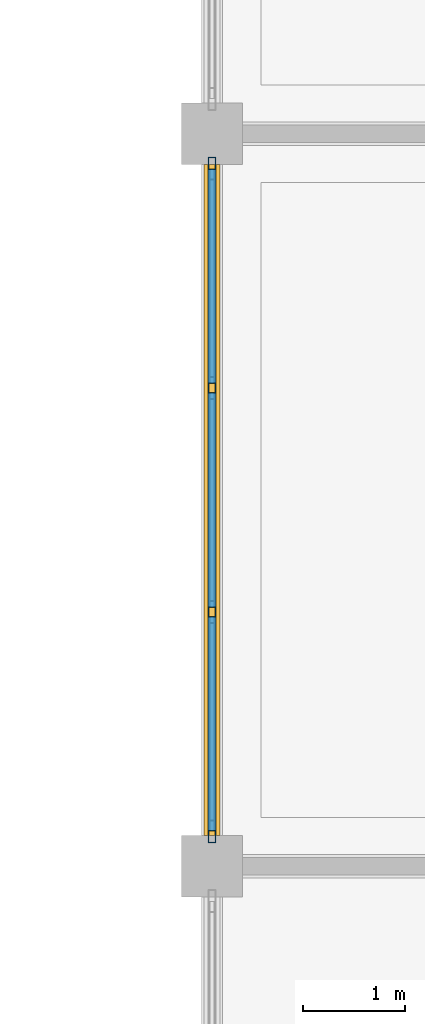
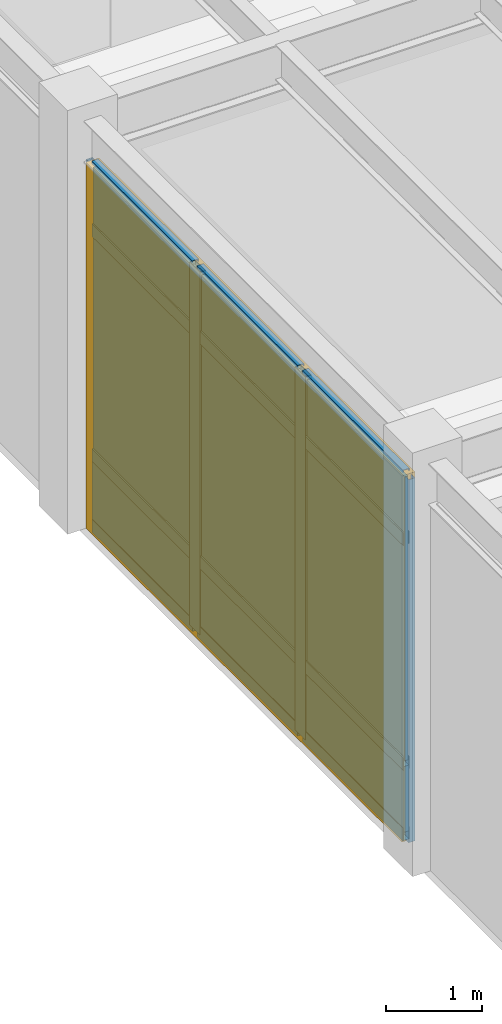
# One storey, part 49 of 97: 16 members, 6 plates, 1 curtain wall.
"""IFC4 building model written with IfcOpenShell, lengths in metres."""

import ifcopenshell
import ifcopenshell.guid

model = None  # the IFC model being written
_history = None  # IfcOwnerHistory: only IFC2X3 demands one
_inside = {}  # id of a spatial element -> (the spatial element, [elements in it])
_under = {}  # id of a project, library or spatial element -> (it, [spatial elements below it])
_declared = {}  # id of a project -> (the project, [libraries it declares])
_typed = {}  # id of a type object -> (the type object, [elements of that type])
_made_of = {}  # id of a material, layer set ... -> (it, [elements and type objects made of it])


def new_model(schema):
    """Start an empty IFC model of exactly this schema.

    Asked for "IFC4X3", IfcOpenShell would pick the latest addendum, in which some entities
    have other attributes; the version numbers below select the first issue.
    IFC2X3 requires an IfcOwnerHistory on every rooted entity: one is made here for all.
    """
    global model, _history
    if schema == "IFC4X3":
        model = ifcopenshell.file(schema_version=(4, 3, 0, 0))
    else:
        model = ifcopenshell.file(schema=schema)
    _inside.clear()
    _under.clear()
    _declared.clear()
    _typed.clear()
    _made_of.clear()
    _history = None
    if model.schema == "IFC2X3":
        org = make("IfcOrganization", Name="unknown")
        user = make(
            "IfcPersonAndOrganization",
            ThePerson=make("IfcPerson", FamilyName="unknown"),
            TheOrganization=org,
        )
        app = make(
            "IfcApplication",
            ApplicationDeveloper=org,
            Version="unknown",
            ApplicationFullName="unknown",
            ApplicationIdentifier="unknown",
        )
        _history = make(
            "IfcOwnerHistory",
            OwningUser=user,
            OwningApplication=app,
            ChangeAction="ADDED",
            CreationDate=0,
        )
    return model


def make(cls, **values):
    """One entity of the class cls with the attributes given. An attribute that is None is left unset."""
    return model.create_entity(
        cls, **{name: value for name, value in values.items() if value is not None}
    )


def rooted(cls, **values):
    """An entity with a GlobalId (a new one), such as an element, a storey or a relation."""
    return make(cls, GlobalId=ifcopenshell.guid.new(), OwnerHistory=_history, **values)


def si_unit(unit_type, name, prefix=None):
    """IfcSIUnit, for example si_unit("LENGTHUNIT", "METRE", prefix="MILLI")."""
    return make("IfcSIUnit", UnitType=unit_type, Prefix=prefix, Name=name)


def assignment(units):
    """IfcUnitAssignment: the units of a project."""
    return None if units is None else make("IfcUnitAssignment", Units=units)


def point(xyz):
    """IfcCartesianPoint."""
    return None if xyz is None else make("IfcCartesianPoint", Coordinates=xyz)


def direction(xyz):
    """IfcDirection."""
    return None if xyz is None else make("IfcDirection", DirectionRatios=xyz)


def frame(location, z_axis=None, x_axis=None):
    """IfcAxis2Placement3D, a coordinate frame: its origin and axes. An axis left out is left unset."""
    return make(
        "IfcAxis2Placement3D",
        Location=point(location),
        Axis=direction(z_axis),
        RefDirection=direction(x_axis),
    )


def frame_2d(location, x_axis=None):
    """IfcAxis2Placement2D, a coordinate frame in the plane: its origin and x axis."""
    return make(
        "IfcAxis2Placement2D", Location=point(location), RefDirection=direction(x_axis)
    )


def origin():
    """The frame at (0, 0, 0) with its axes left unset."""
    return frame((0.0, 0.0, 0.0))


def origin_2d():
    """The frame at (0, 0) in the plane with its x axis left unset."""
    return frame_2d((0.0, 0.0))


def place(relative_to, where):
    """IfcLocalPlacement: puts the frame where relative to a parent placement (None: the world)."""
    return make(
        "IfcLocalPlacement", PlacementRelTo=relative_to, RelativePlacement=where
    )


def context(
    kind, dimensions, precision=None, world=None, true_north=None, identifier=None
):
    """IfcGeometricRepresentationContext, for example the 3D "Model" context."""
    return make(
        "IfcGeometricRepresentationContext",
        ContextIdentifier=identifier,
        ContextType=kind,
        CoordinateSpaceDimension=dimensions,
        Precision=precision,
        WorldCoordinateSystem=world,
        TrueNorth=true_north,
    )


def subcontext(parent, identifier, kind, view, scale=None):
    """IfcGeometricRepresentationSubContext, for example "Body" below "Model"."""
    return make(
        "IfcGeometricRepresentationSubContext",
        ContextIdentifier=identifier,
        ContextType=kind,
        ParentContext=parent,
        TargetScale=scale,
        TargetView=view,
    )


def project(units=None, contexts=None):
    """IfcProject with its units and contexts."""
    return rooted(
        "IfcProject",
        Name="project",
        RepresentationContexts=contexts,
        UnitsInContext=assignment(units),
    )


def spatial(cls, under=None, at=None, **own):
    """A site, building, storey or space (cls), placed at a placement, below another one or the project."""
    s = rooted(cls, ObjectPlacement=at, **own)
    if under is not None:
        _under.setdefault(under.id(), (under, []))[1].append(s)
    return s


def profile(cls, at=None, kind="AREA", **sizes):
    """A parametric profile (cls). Its sizes go by their IFC names, for example OverallWidth=200.0."""
    return make(cls, ProfileType=kind, Position=at, **sizes)


def rectangle(**sizes):
    """IfcRectangleProfileDef."""
    return profile("IfcRectangleProfileDef", **sizes)


def hollow_rectangle(**sizes):
    """IfcRectangleHollowProfileDef."""
    return profile("IfcRectangleHollowProfileDef", **sizes)


def extrude(swept, where, along, depth):
    """IfcExtrudedAreaSolid: the profile swept, set in the frame where, extruded along a direction by depth."""
    return make(
        "IfcExtrudedAreaSolid",
        SweptArea=swept,
        Position=where,
        ExtrudedDirection=direction(along),
        Depth=depth,
    )


def shape(context_of_items, identifier, shape_type, items):
    """IfcShapeRepresentation: the items that make up one representation, for example the "Body"."""
    return make(
        "IfcShapeRepresentation",
        ContextOfItems=context_of_items,
        RepresentationIdentifier=identifier,
        RepresentationType=shape_type,
        Items=items,
    )


def material(Name=None, Category=None):
    """IfcMaterial."""
    return make("IfcMaterial", Name=Name, Category=Category)


def layer(
    of_material, thickness, ventilated=None, Name=None, Category=None, Priority=None
):
    """IfcMaterialLayer: one layer of a wall or slab, of a material (None: an air gap)."""
    return make(
        "IfcMaterialLayer",
        Material=of_material,
        LayerThickness=thickness,
        IsVentilated=ventilated,
        Name=Name,
        Category=Category,
        Priority=Priority,
    )


def layer_set(layers, Name=None):
    """IfcMaterialLayerSet."""
    return make("IfcMaterialLayerSet", MaterialLayers=layers, LayerSetName=Name)


def material_profile(
    of_material, cross_section, Name=None, Category=None, Priority=None
):
    """IfcMaterialProfile: a cross section and its material."""
    return make(
        "IfcMaterialProfile",
        Name=Name,
        Material=of_material,
        Profile=cross_section,
        Priority=Priority,
        Category=Category,
    )


def profile_set(profiles, Name=None, composite=None):
    """IfcMaterialProfileSet."""
    return make(
        "IfcMaterialProfileSet",
        Name=Name,
        MaterialProfiles=profiles,
        CompositeProfile=composite,
    )


def made_of(thing, what):
    """Note that an element or type object is made of a material, layer set ...; save() writes the relation."""
    if what is not None:
        _made_of.setdefault(what.id(), (what, []))[1].append(thing)
    return thing


def type_object(cls, material=None, **own):
    """A type object (cls), such as IfcWallType, which elements share."""
    return made_of(rooted(cls, **own), material)


def element(
    cls,
    number,
    at=None,
    inside=None,
    cuts=None,
    type_object=None,
    material=None,
    context=None,
    identifier="Body",
    shape_type=None,
    held_by="IfcProductDefinitionShape",
    body=None,
    shapes=None,
    **own,
):
    """One element of the class cls, such as IfcWall. Its Tag is "e" and its number.

    at: its placement. inside: the storey or other place that contains it. cuts: it is an
    opening in that element (IfcRelVoidsElement). A single representation is given by context,
    identifier, shape_type and body (its items); several are given by shapes. held_by: the class
    of the entity that holds the representations. save() writes the other relations.
    """
    e = rooted(cls, Tag="e%d" % number, ObjectPlacement=at, **own)
    if body is not None:
        shapes = [shape(context, identifier, shape_type, body)]
    if shapes is not None:
        e.Representation = make(held_by, Representations=shapes)
    if inside is not None:
        _inside.setdefault(inside.id(), (inside, []))[1].append(e)
    if cuts is not None:
        rooted(
            "IfcRelVoidsElement", RelatingBuildingElement=cuts, RelatedOpeningElement=e
        )
    if type_object is not None:
        _typed.setdefault(type_object.id(), (type_object, []))[1].append(e)
    return made_of(e, material)


def aggregate(whole, parts):
    """IfcRelAggregates: a whole, such as a stair, and the parts it consists of."""
    return rooted("IfcRelAggregates", RelatingObject=whole, RelatedObjects=parts)


def save(model, path):
    """Write the relations noted so far, then the file.

    IfcRelAggregates (storeys below a building ...), IfcRelContainedInSpatialStructure (elements
    in a storey), IfcRelDefinesByType, IfcRelAssociatesMaterial and IfcRelDeclares: one each for
    every whole, place, type object, material and project.
    """
    for whole, parts in _under.values():
        aggregate(whole, parts)
    for where, things in _inside.values():
        rooted(
            "IfcRelContainedInSpatialStructure",
            RelatedElements=things,
            RelatingStructure=where,
        )
    for kind, things in _typed.values():
        rooted("IfcRelDefinesByType", RelatedObjects=things, RelatingType=kind)
    for what, things in _made_of.values():
        rooted("IfcRelAssociatesMaterial", RelatedObjects=things, RelatingMaterial=what)
    for by, libraries in _declared.values():
        rooted("IfcRelDeclares", RelatingContext=by, RelatedDefinitions=libraries)
    model.write(path)


model = new_model("IFC4")

# Units and contexts
model_context = context("Model", 3, precision=1e-05, world=origin(), true_north=direction((0.0, 1.0)))
body_context = subcontext(model_context, "Body", "Model", "MODEL_VIEW")
ifc_project = project(units=[si_unit("LENGTHUNIT", "METRE"), si_unit("AREAUNIT", "SQUARE_METRE"), si_unit("VOLUMEUNIT", "CUBIC_METRE"), si_unit("PLANEANGLEUNIT", "RADIAN"), si_unit("MASSUNIT", "GRAM", prefix="KILO")], contexts=[model_context])

# Member
ifc_material_1 = material(Name="Anodized Aluminium 6063-T6", Category="aluminium")
ifc_material_profile_1 = material_profile(ifc_material_1, hollow_rectangle(XDim=0.074951171875, YDim=0.219970703125, WallThickness=0.0048828125, at=origin_2d()), Name="ALU 75x220x5")
ifc_profile_set_1 = profile_set([ifc_material_profile_1], Name="Anodized Aluminium 6063-T6")
member_type_1 = type_object("IfcMemberType", Name="CWM-75X180", PredefinedType="MULLION", material=ifc_profile_set_1)
site_placement = place(None, origin())
building_placement = place(site_placement, origin())
storey_placement = place(building_placement, origin())
member_1_placement = place(storey_placement, frame((64.800048828125, 21.93994140625, 0.02001953125), z_axis=(0.0, 0.0, 1.0), x_axis=(1.0, 0.0, 0.0)))
member_1 = element("IfcMember", 1, at=member_1_placement, type_object=member_type_1, Name="Curtain wall mullion CW-L01-09-03-W-00", PredefinedType="MULLION", context=body_context, shape_type="SweptSolid", body=[
    extrude(hollow_rectangle(XDim=0.074951171875, YDim=0.219970703125, WallThickness=0.0048828125, at=origin_2d()), origin(), (0.0, 0.0, 1.0), 4.626953125),
])

member_2_placement = place(storey_placement, frame((64.800048828125, 24.10009765625, 0.02001953125), z_axis=(0.0, 0.0, 1.0), x_axis=(1.0, 0.0, 0.0)))
member_2 = element("IfcMember", 2, at=member_2_placement, type_object=member_type_1, Name="Curtain wall mullion CW-L01-09-03-W-01", PredefinedType="MULLION", context=body_context, shape_type="SweptSolid", body=[
    extrude(hollow_rectangle(XDim=0.074951171875, YDim=0.219970703125, WallThickness=0.0048828125, at=origin_2d()), origin(), (0.0, 0.0, 1.0), 4.626953125),
])

member_3_placement = place(storey_placement, frame((64.800048828125, 26.300048828125, 0.02001953125), z_axis=(0.0, 0.0, 1.0), x_axis=(1.0, 0.0, 0.0)))
member_3 = element("IfcMember", 3, at=member_3_placement, type_object=member_type_1, Name="Curtain wall mullion CW-L01-09-03-W-02", PredefinedType="MULLION", context=body_context, shape_type="SweptSolid", body=[
    extrude(hollow_rectangle(XDim=0.074951171875, YDim=0.219970703125, WallThickness=0.0048828125, at=origin_2d()), origin(), (0.0, 0.0, 1.0), 4.626953125),
])

member_4_placement = place(storey_placement, frame((64.800048828125, 28.4599609375, 0.02001953125), z_axis=(0.0, 0.0, 1.0), x_axis=(1.0, 0.0, 0.0)))
member_4 = element("IfcMember", 4, at=member_4_placement, type_object=member_type_1, Name="Curtain wall mullion CW-L01-09-03-W-03", PredefinedType="MULLION", context=body_context, shape_type="SweptSolid", body=[
    extrude(hollow_rectangle(XDim=0.074951171875, YDim=0.219970703125, WallThickness=0.0048828125, at=origin_2d()), origin(), (0.0, 0.0, 1.0), 4.626953125),
])

ifc_material_profile_2 = material_profile(ifc_material_1, hollow_rectangle(XDim=0.074951171875, YDim=0.159912109375, WallThickness=0.00390625, at=origin_2d()), Name="ALU 75x160x4")
ifc_profile_set_2 = profile_set([ifc_material_profile_2], Name="Anodized Aluminium 6063-T6")
member_type_2 = type_object("IfcMemberType", Name="CWT-75X150", PredefinedType="USERDEFINED", material=ifc_profile_set_2)
member_5_placement = place(storey_placement, frame((64.800048828125, 21.949951171875, 0.050048828125), z_axis=(0.0, 1.0, 0.0), x_axis=(-1.0, 0.0, 0.0)))
member_5 = element("IfcMember", 5, at=member_5_placement, type_object=member_type_2, Name="Curtain wall transom CW-L01-09-03-W-1.01", ObjectType="TRANSOM", PredefinedType="USERDEFINED", context=body_context, shape_type="SweptSolid", body=[
    extrude(hollow_rectangle(XDim=0.074951171875, YDim=0.159912109375, WallThickness=0.00390625, at=origin_2d()), origin(), (0.0, 0.0, 1.0), 2.10009765625),
])

member_6_placement = place(storey_placement, frame((64.800048828125, 24.14990234375, 0.050048828125), z_axis=(0.0, 1.0, 0.0), x_axis=(-1.0, 0.0, 0.0)))
member_6 = element("IfcMember", 6, at=member_6_placement, type_object=member_type_2, Name="Curtain wall transom CW-L01-09-03-W-1.02", ObjectType="TRANSOM", PredefinedType="USERDEFINED", context=body_context, shape_type="SweptSolid", body=[
    extrude(hollow_rectangle(XDim=0.074951171875, YDim=0.159912109375, WallThickness=0.00390625, at=origin_2d()), origin(), (0.0, 0.0, 1.0), 2.10009765625),
])

member_7_placement = place(storey_placement, frame((64.800048828125, 26.35009765625, 0.050048828125), z_axis=(0.0, 1.0, 0.0), x_axis=(-1.0, 0.0, 0.0)))
member_7 = element("IfcMember", 7, at=member_7_placement, type_object=member_type_2, Name="Curtain wall transom CW-L01-09-03-W-1.03", ObjectType="TRANSOM", PredefinedType="USERDEFINED", context=body_context, shape_type="SweptSolid", body=[
    extrude(hollow_rectangle(XDim=0.074951171875, YDim=0.159912109375, WallThickness=0.00390625, at=origin_2d()), origin(), (0.0, 0.0, 1.0), 2.099853515625),
])

member_8_placement = place(storey_placement, frame((64.800048828125, 21.949951171875, 0.949951171875), z_axis=(0.0, 1.0, 0.0), x_axis=(-1.0, 0.0, 0.0)))
member_8 = element("IfcMember", 8, at=member_8_placement, type_object=member_type_2, Name="Curtain wall transom CW-L01-09-03-W-2.01", ObjectType="TRANSOM", PredefinedType="USERDEFINED", context=body_context, shape_type="SweptSolid", body=[
    extrude(hollow_rectangle(XDim=0.074951171875, YDim=0.159912109375, WallThickness=0.00390625, at=origin_2d()), origin(), (0.0, 0.0, 1.0), 2.10009765625),
])

member_9_placement = place(storey_placement, frame((64.800048828125, 24.14990234375, 0.949951171875), z_axis=(0.0, 1.0, 0.0), x_axis=(-1.0, 0.0, 0.0)))
member_9 = element("IfcMember", 9, at=member_9_placement, type_object=member_type_2, Name="Curtain wall transom CW-L01-09-03-W-2.02", ObjectType="TRANSOM", PredefinedType="USERDEFINED", context=body_context, shape_type="SweptSolid", body=[
    extrude(hollow_rectangle(XDim=0.074951171875, YDim=0.159912109375, WallThickness=0.00390625, at=origin_2d()), origin(), (0.0, 0.0, 1.0), 2.10009765625),
])

member_10_placement = place(storey_placement, frame((64.800048828125, 26.35009765625, 0.949951171875), z_axis=(0.0, 1.0, 0.0), x_axis=(-1.0, 0.0, 0.0)))
member_10 = element("IfcMember", 10, at=member_10_placement, type_object=member_type_2, Name="Curtain wall transom CW-L01-09-03-W-2.03", ObjectType="TRANSOM", PredefinedType="USERDEFINED", context=body_context, shape_type="SweptSolid", body=[
    extrude(hollow_rectangle(XDim=0.074951171875, YDim=0.159912109375, WallThickness=0.00390625, at=origin_2d()), origin(), (0.0, 0.0, 1.0), 2.099853515625),
])

member_11_placement = place(storey_placement, frame((64.800048828125, 21.949951171875, 3.81689453125), z_axis=(0.0, 1.0, 0.0), x_axis=(-1.0, 0.0, 0.0)))
member_11 = element("IfcMember", 11, at=member_11_placement, type_object=member_type_2, Name="Curtain wall transom CW-L01-09-03-W-3.01", ObjectType="TRANSOM", PredefinedType="USERDEFINED", context=body_context, shape_type="SweptSolid", body=[
    extrude(hollow_rectangle(XDim=0.074951171875, YDim=0.159912109375, WallThickness=0.00390625, at=origin_2d()), origin(), (0.0, 0.0, 1.0), 2.10009765625),
])

member_12_placement = place(storey_placement, frame((64.800048828125, 24.14990234375, 3.81689453125), z_axis=(0.0, 1.0, 0.0), x_axis=(-1.0, 0.0, 0.0)))
member_12 = element("IfcMember", 12, at=member_12_placement, type_object=member_type_2, Name="Curtain wall transom CW-L01-09-03-W-3.02", ObjectType="TRANSOM", PredefinedType="USERDEFINED", context=body_context, shape_type="SweptSolid", body=[
    extrude(hollow_rectangle(XDim=0.074951171875, YDim=0.159912109375, WallThickness=0.00390625, at=origin_2d()), origin(), (0.0, 0.0, 1.0), 2.10009765625),
])

member_13_placement = place(storey_placement, frame((64.800048828125, 26.35009765625, 3.81689453125), z_axis=(0.0, 1.0, 0.0), x_axis=(-1.0, 0.0, 0.0)))
member_13 = element("IfcMember", 13, at=member_13_placement, type_object=member_type_2, Name="Curtain wall transom CW-L01-09-03-W-3.03", ObjectType="TRANSOM", PredefinedType="USERDEFINED", context=body_context, shape_type="SweptSolid", body=[
    extrude(hollow_rectangle(XDim=0.074951171875, YDim=0.159912109375, WallThickness=0.00390625, at=origin_2d()), origin(), (0.0, 0.0, 1.0), 2.099853515625),
])

member_14_placement = place(storey_placement, frame((64.800048828125, 21.949951171875, 4.616943359375), z_axis=(0.0, 1.0, 0.0), x_axis=(-1.0, 0.0, 0.0)))
member_14 = element("IfcMember", 14, at=member_14_placement, type_object=member_type_2, Name="Curtain wall transom CW-L01-09-03-W-4.01", ObjectType="TRANSOM", PredefinedType="USERDEFINED", context=body_context, shape_type="SweptSolid", body=[
    extrude(hollow_rectangle(XDim=0.074951171875, YDim=0.159912109375, WallThickness=0.00390625, at=origin_2d()), origin(), (0.0, 0.0, 1.0), 2.10009765625),
])

member_15_placement = place(storey_placement, frame((64.800048828125, 24.14990234375, 4.616943359375), z_axis=(0.0, 1.0, 0.0), x_axis=(-1.0, 0.0, 0.0)))
member_15 = element("IfcMember", 15, at=member_15_placement, type_object=member_type_2, Name="Curtain wall transom CW-L01-09-03-W-4.02", ObjectType="TRANSOM", PredefinedType="USERDEFINED", context=body_context, shape_type="SweptSolid", body=[
    extrude(hollow_rectangle(XDim=0.074951171875, YDim=0.159912109375, WallThickness=0.00390625, at=origin_2d()), origin(), (0.0, 0.0, 1.0), 2.10009765625),
])

member_16_placement = place(storey_placement, frame((64.800048828125, 26.35009765625, 4.616943359375), z_axis=(0.0, 1.0, 0.0), x_axis=(-1.0, 0.0, 0.0)))
member_16 = element("IfcMember", 16, at=member_16_placement, type_object=member_type_2, Name="Curtain wall transom CW-L01-09-03-W-4.03", ObjectType="TRANSOM", PredefinedType="USERDEFINED", context=body_context, shape_type="SweptSolid", body=[
    extrude(hollow_rectangle(XDim=0.074951171875, YDim=0.159912109375, WallThickness=0.00390625, at=origin_2d()), origin(), (0.0, 0.0, 1.0), 2.099853515625),
])

# Plate
ifc_material_2 = material(Name="Acoustic Laminated Low-E Glazing", Category="glass")
ifc_layer_1 = layer(ifc_material_2, 0.0439453125)
ifc_layer_set_1 = layer_set([ifc_layer_1], Name="Acoustic Laminated Low-E Glazing")
plate_type_1 = type_object("IfcPlateType", Name="CWP-IGU-44", PredefinedType="CURTAIN_PANEL", material=ifc_layer_set_1)
plate_1_placement = place(storey_placement, frame((64.800048828125, 23.0, 0.990234375), z_axis=(0.0, 0.0, 1.0), x_axis=(0.0, 1.0, 0.0)))
plate_1 = element("IfcPlate", 17, at=plate_1_placement, type_object=plate_type_1, Name="Curtain wall vision glazing CW-L01-09-03-W-01", PredefinedType="CURTAIN_PANEL", context=body_context, shape_type="SweptSolid", body=[
    extrude(rectangle(XDim=2.110107421875, YDim=0.0400390625, at=origin_2d()), origin(), (0.0, 0.0, 1.0), 3.616943359375),
])

plate_2_placement = place(storey_placement, frame((64.800048828125, 25.199951171875, 0.990234375), z_axis=(0.0, 0.0, 1.0), x_axis=(0.0, 1.0, 0.0)))
plate_2 = element("IfcPlate", 18, at=plate_2_placement, type_object=plate_type_1, Name="Curtain wall vision glazing CW-L01-09-03-W-02", PredefinedType="CURTAIN_PANEL", context=body_context, shape_type="SweptSolid", body=[
    extrude(rectangle(XDim=2.110107421875, YDim=0.0400390625, at=origin_2d()), origin(), (0.0, 0.0, 1.0), 3.616943359375),
])

plate_3_placement = place(storey_placement, frame((64.800048828125, 27.39990234375, 0.990234375), z_axis=(0.0, 0.0, 1.0), x_axis=(0.0, 1.0, 0.0)))
plate_3 = element("IfcPlate", 19, at=plate_3_placement, type_object=plate_type_1, Name="Curtain wall vision glazing CW-L01-09-03-W-03", PredefinedType="CURTAIN_PANEL", context=body_context, shape_type="SweptSolid", body=[
    extrude(rectangle(XDim=2.110107421875, YDim=0.0400390625, at=origin_2d()), origin(), (0.0, 0.0, 1.0), 3.616943359375),
])

ifc_material_3 = material(Name="Insulated Stone-Composite Spandrel", Category="masonry")
ifc_layer_2 = layer(ifc_material_3, 0.068115234375)
ifc_layer_set_2 = layer_set([ifc_layer_2], Name="Insulated Stone-Composite Spandrel")
plate_type_2 = type_object("IfcPlateType", Name="CWP-SPN-68", PredefinedType="CURTAIN_PANEL", material=ifc_layer_set_2)
plate_4_placement = place(storey_placement, frame((64.800048828125, 23.0, 0.080078125), z_axis=(0.0, 0.0, 1.0), x_axis=(0.0, 1.0, 0.0)))
plate_4 = element("IfcPlate", 20, at=plate_4_placement, type_object=plate_type_2, Name="Curtain wall spandrel panel CW-L01-09-03-W-01", PredefinedType="CURTAIN_PANEL", context=body_context, shape_type="SweptSolid", body=[
    extrude(rectangle(XDim=2.110107421875, YDim=0.06005859375, at=origin_2d()), origin(), (0.0, 0.0, 1.0), 0.840087890625),
])

plate_5_placement = place(storey_placement, frame((64.800048828125, 25.199951171875, 0.080078125), z_axis=(0.0, 0.0, 1.0), x_axis=(0.0, 1.0, 0.0)))
plate_5 = element("IfcPlate", 21, at=plate_5_placement, type_object=plate_type_2, Name="Curtain wall spandrel panel CW-L01-09-03-W-02", PredefinedType="CURTAIN_PANEL", context=body_context, shape_type="SweptSolid", body=[
    extrude(rectangle(XDim=2.110107421875, YDim=0.06005859375, at=origin_2d()), origin(), (0.0, 0.0, 1.0), 0.840087890625),
])

plate_6_placement = place(storey_placement, frame((64.800048828125, 27.39990234375, 0.080078125), z_axis=(0.0, 0.0, 1.0), x_axis=(0.0, 1.0, 0.0)))
plate_6 = element("IfcPlate", 22, at=plate_6_placement, type_object=plate_type_2, Name="Curtain wall spandrel panel CW-L01-09-03-W-03", PredefinedType="CURTAIN_PANEL", context=body_context, shape_type="SweptSolid", body=[
    extrude(rectangle(XDim=2.110107421875, YDim=0.06005859375, at=origin_2d()), origin(), (0.0, 0.0, 1.0), 0.840087890625),
])

# Site, building, storey
site = spatial("IfcSite", under=ifc_project, at=site_placement, CompositionType="ELEMENT")
building = spatial("IfcBuilding", under=site, at=building_placement, Name="Sillqori Civic Hall", CompositionType="ELEMENT")
storey = spatial("IfcBuildingStorey", under=building, at=storey_placement, Name="L01", CompositionType="ELEMENT", Elevation=0.0)

# Curtain wall
ifc_material_4 = material(Name="Anodized Aluminium Curtain Wall System", Category="aluminium")
curtain_wall_type = type_object("IfcCurtainWallType", Name="CW-SF-480", PredefinedType="NOTDEFINED", material=ifc_material_4)
curtain_wall_placement = place(storey_placement, frame((64.800048828125, 25.199951171875, 0.0), z_axis=(0.0, 0.0, 1.0), x_axis=(0.0, 1.0, 0.0)))
curtain_wall = element("IfcCurtainWall", 23, at=curtain_wall_placement, inside=storey, type_object=curtain_wall_type, Name="L01 unitised curtain wall CW-L01-09-03-W", PredefinedType="NOTDEFINED", context=body_context, shape_type="SweptSolid", body=[
    extrude(rectangle(XDim=6.60009765625, YDim=0.159912109375, at=origin_2d()), origin(), (0.0, 0.0, 1.0), 4.6669921875),
])

aggregate(curtain_wall, [member_1, member_2, member_3, member_4, member_5, member_6, member_7, member_8, member_9, member_10, member_11, member_12, member_13, member_14, member_15, member_16, plate_4, plate_1, plate_5, plate_2, plate_6, plate_3])

save(model, "model.ifc")
